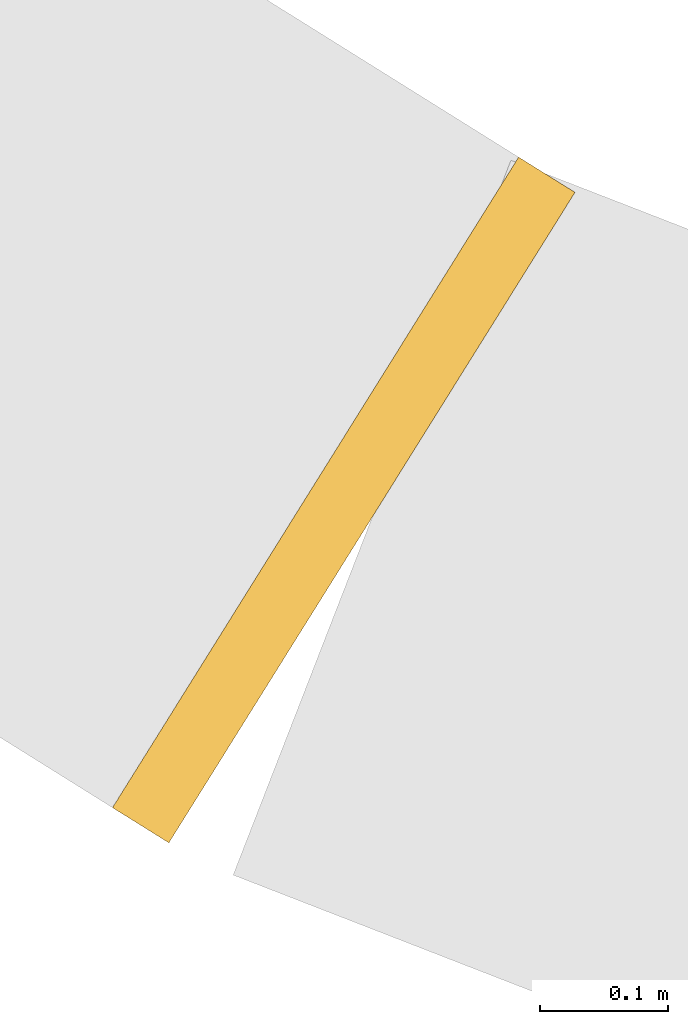
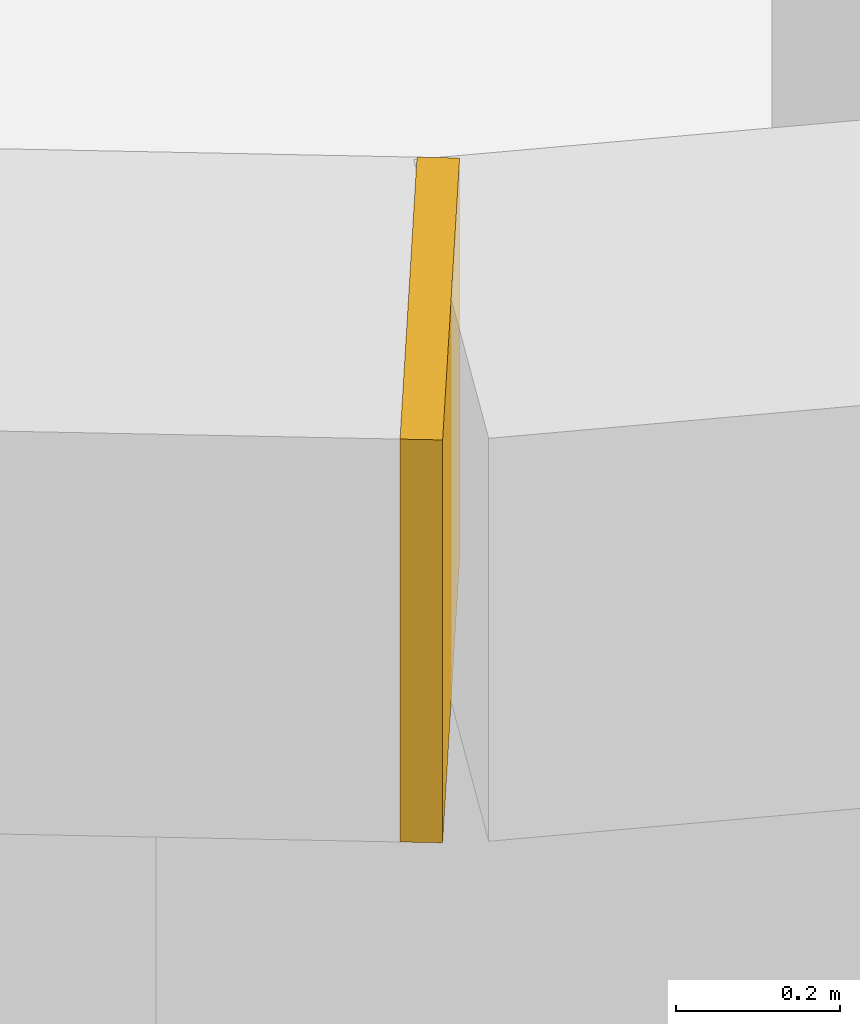
# One storey, part 16 of 16: 1 covering.
"""IFC4 building model written with IfcOpenShell, lengths in metres."""

from ifc_helpers import new_model, si_unit, direction, frame, origin, origin_2d, place, context, subcontext, project, spatial, rectangle, extrude, material, material_profile, profile_set, type_object, element, save


model = new_model("IFC4")

# Units and contexts
model_context = context("Model", 3, precision=1e-05, world=origin(), true_north=direction((0.0, 1.0)))
body_context = subcontext(model_context, "Body", "Model", "MODEL_VIEW")
ifc_project = project(units=[si_unit("LENGTHUNIT", "METRE"), si_unit("AREAUNIT", "SQUARE_METRE"), si_unit("VOLUMEUNIT", "CUBIC_METRE"), si_unit("PLANEANGLEUNIT", "RADIAN"), si_unit("MASSUNIT", "GRAM", prefix="KILO")], contexts=[model_context])

# Site, building, storey
site_placement = place(None, origin())
site = spatial("IfcSite", under=ifc_project, at=site_placement, CompositionType="ELEMENT")
building_placement = place(site_placement, origin())
building = spatial("IfcBuilding", under=site, at=building_placement, Name="Tuul Gate Civic Tower", CompositionType="ELEMENT")
storey_placement = place(building_placement, frame((0.0, 0.0, 298.39990234375)))
storey = spatial("IfcBuildingStorey", under=building, at=storey_placement, Name="Level 67", CompositionType="ELEMENT", Elevation=298.39990234375)

# Covering
ifc_material = material(Name="Terracotta baguette", Category="masonry")
ifc_material_profile = material_profile(ifc_material, rectangle(XDim=0.60009765625, YDim=0.60009765625, at=origin_2d()), Name="Terracotta baguette screen frame")
ifc_profile_set = profile_set([ifc_material_profile], Name="Terracotta baguette")
covering_type = type_object("IfcCoveringType", Name="Terracotta baguette screen frame", PredefinedType="CLADDING", material=ifc_profile_set)
covering_placement = place(storey_placement, frame((-39.140869140625, -36.6748046875, 3.85009765625), z_axis=(0.848261487435, -0.529577613702, 0.0), x_axis=(0.529577613702, 0.848261487435, 0.0)))
element("IfcCovering", 1, at=covering_placement, inside=storey, type_object=covering_type, Name="Baguette 164", PredefinedType="CLADDING", context=body_context, shape_type="SweptSolid", body=[
    extrude(rectangle(XDim=0.60009765625, YDim=0.60009765625, at=origin_2d()), origin(), (0.0, 0.0, 1.0), 0.052001953125),
])

save(model, "model.ifc")
